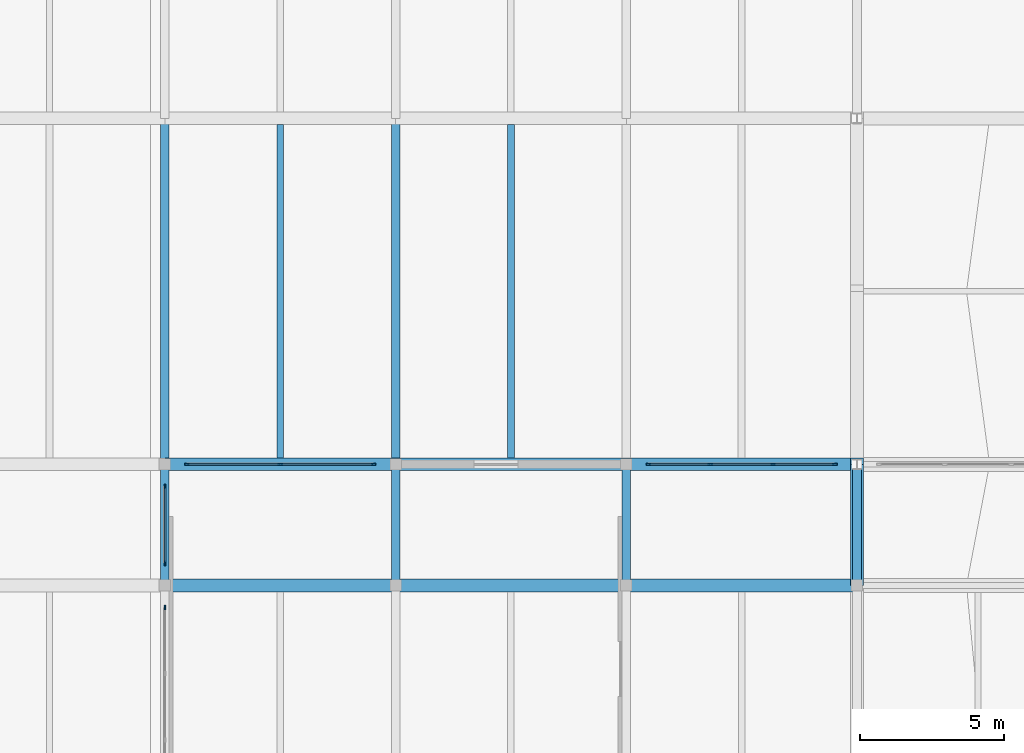
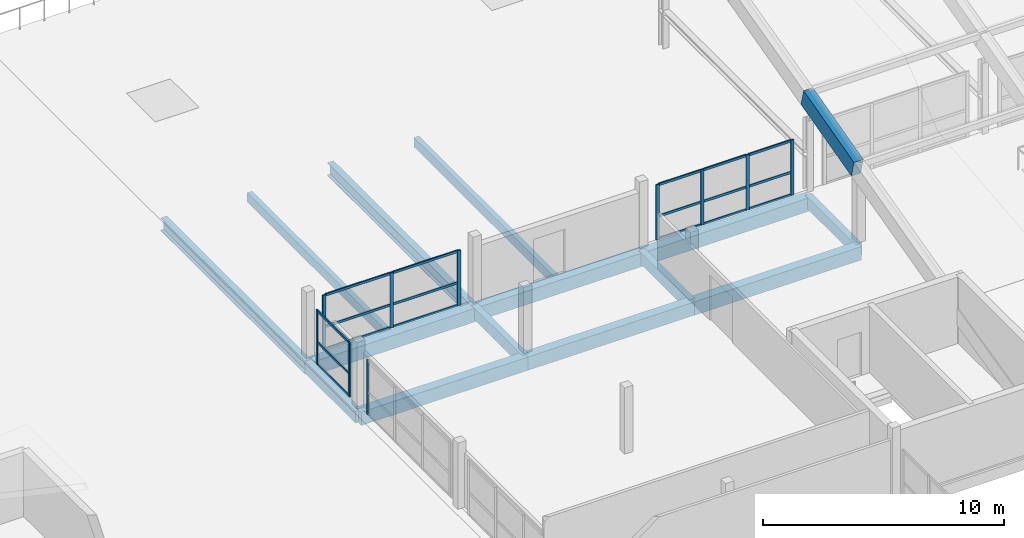
# One storey, part 23 of 51: 28 members, 15 beams, 4 elements without a shape of their own.
"""IFC4 building model written with IfcOpenShell, lengths in metres."""

from ifc_helpers import new_model, si_unit, direction, frame, origin, origin_2d, place, context, subcontext, project, spatial, rectangle, i_section, extrude, material, material_profile, profile_set, type_object, element, aggregate, save


model = new_model("IFC4")

# Units and contexts
model_context = context("Model", 3, precision=1e-05, world=origin(), true_north=direction((0.0, 1.0)))
body_context = subcontext(model_context, "Body", "Model", "MODEL_VIEW")
ifc_project = project(units=[si_unit("LENGTHUNIT", "METRE"), si_unit("AREAUNIT", "SQUARE_METRE"), si_unit("VOLUMEUNIT", "CUBIC_METRE"), si_unit("PLANEANGLEUNIT", "RADIAN"), si_unit("MASSUNIT", "GRAM", prefix="KILO")], contexts=[model_context])

# Site, building, storey
site_placement = place(None, origin())
site = spatial("IfcSite", under=ifc_project, at=site_placement, CompositionType="ELEMENT")
building_placement = place(site_placement, origin())
building = spatial("IfcBuilding", under=site, at=building_placement, Name="Vharandega Faculty of Natural Sciences", CompositionType="ELEMENT")
storey_placement = place(building_placement, frame((0.0, 0.0, 18.0)))
storey = spatial("IfcBuildingStorey", under=building, at=storey_placement, Name="L04", CompositionType="ELEMENT", Elevation=18.0)

# Curtain wall, members
ifc_material_1 = material(Name="Aluminium and solar-control glass curtain wall", Category="aluminium")
curtain_wall_type_1 = type_object("IfcCurtainWallType", Name="Unitised Curtain Wall System CW-19", PredefinedType="NOTDEFINED", material=ifc_material_1)
curtain_wall_1_placement = place(storey_placement, origin())
curtain_wall_1 = element("IfcCurtainWall", 1, at=curtain_wall_1_placement, inside=storey, type_object=curtain_wall_type_1, Name="Curtain Wall CW-L04-102", PredefinedType="NOTDEFINED")
ifc_material_2 = material(Name="Thermally broken aluminium 6063-T6", Category="aluminium")
ifc_material_profile_1 = material_profile(ifc_material_2, rectangle(XDim=0.06005859375, YDim=0.159912109375, at=origin_2d()), Name="ALU 60x160")
ifc_profile_set_1 = profile_set([ifc_material_profile_1], Name="Thermally broken aluminium 6063-T6")
member_type_1 = type_object("IfcMemberType", Name="CW Mullion 60x160", PredefinedType="MULLION", material=ifc_profile_set_1)
member_1_placement = place(storey_placement, frame((32.77001953125, 85.0, 0.0), z_axis=(0.0, 0.0, 1.0), x_axis=(0.0, 1.0, 0.0)))
member_1 = element("IfcMember", 2, at=member_1_placement, type_object=member_type_1, Name="CW-19 mullion 1", PredefinedType="MULLION", context=body_context, shape_type="SweptSolid", body=[
    extrude(rectangle(XDim=0.06005859375, YDim=0.159912109375, at=origin_2d()), origin(), (0.0, 0.0, 1.0), 2.800048828125),
])
member_2_placement = place(storey_placement, frame((36.0, 85.0, 0.0), z_axis=(0.0, 0.0, 1.0), x_axis=(0.0, 1.0, 0.0)))
member_2 = element("IfcMember", 3, at=member_2_placement, type_object=member_type_1, Name="CW-19 mullion 2", PredefinedType="MULLION", context=body_context, shape_type="SweptSolid", body=[
    extrude(rectangle(XDim=0.06005859375, YDim=0.159912109375, at=origin_2d()), origin(), (0.0, 0.0, 1.0), 2.800048828125),
])
member_3_placement = place(storey_placement, frame((39.22998046875, 85.0, 0.0), z_axis=(0.0, 0.0, 1.0), x_axis=(0.0, 1.0, 0.0)))
member_3 = element("IfcMember", 4, at=member_3_placement, type_object=member_type_1, Name="CW-19 mullion 3", PredefinedType="MULLION", context=body_context, shape_type="SweptSolid", body=[
    extrude(rectangle(XDim=0.06005859375, YDim=0.159912109375, at=origin_2d()), origin(), (0.0, 0.0, 1.0), 2.800048828125),
])

ifc_material_3 = material(Name="Aluminium and solar-control glass curtain wall", Category="aluminium")
curtain_wall_type_2 = type_object("IfcCurtainWallType", Name="Unitised Curtain Wall System CW-20", PredefinedType="NOTDEFINED", material=ifc_material_3)
curtain_wall_2_placement = place(storey_placement, origin())
curtain_wall_2 = element("IfcCurtainWall", 5, at=curtain_wall_2_placement, inside=storey, type_object=curtain_wall_type_2, Name="Curtain Wall CW-L04-103", PredefinedType="NOTDEFINED")
member_4_placement = place(storey_placement, frame((48.77001953125, 85.0, 0.0), z_axis=(0.0, 0.0, 1.0), x_axis=(0.0, 1.0, 0.0)))
member_4 = element("IfcMember", 6, at=member_4_placement, type_object=member_type_1, Name="CW-20 mullion 1", PredefinedType="MULLION", context=body_context, shape_type="SweptSolid", body=[
    extrude(rectangle(XDim=0.06005859375, YDim=0.159912109375, at=origin_2d()), origin(), (0.0, 0.0, 1.0), 2.800048828125),
])
member_5_placement = place(storey_placement, frame((50.913330078125, 85.0, 0.0), z_axis=(0.0, 0.0, 1.0), x_axis=(0.0, 1.0, 0.0)))
member_5 = element("IfcMember", 7, at=member_5_placement, type_object=member_type_1, Name="CW-20 mullion 2", PredefinedType="MULLION", context=body_context, shape_type="SweptSolid", body=[
    extrude(rectangle(XDim=0.06005859375, YDim=0.159912109375, at=origin_2d()), origin(), (0.0, 0.0, 1.0), 2.800048828125),
])
member_6_placement = place(storey_placement, frame((53.086669921875, 85.0, 0.0), z_axis=(0.0, 0.0, 1.0), x_axis=(0.0, 1.0, 0.0)))
member_6 = element("IfcMember", 8, at=member_6_placement, type_object=member_type_1, Name="CW-20 mullion 3", PredefinedType="MULLION", context=body_context, shape_type="SweptSolid", body=[
    extrude(rectangle(XDim=0.06005859375, YDim=0.159912109375, at=origin_2d()), origin(), (0.0, 0.0, 1.0), 2.800048828125),
])
member_7_placement = place(storey_placement, frame((55.22998046875, 85.0, 0.0), z_axis=(0.0, 0.0, 1.0), x_axis=(0.0, 1.0, 0.0)))
member_7 = element("IfcMember", 9, at=member_7_placement, type_object=member_type_1, Name="CW-20 mullion 4", PredefinedType="MULLION", context=body_context, shape_type="SweptSolid", body=[
    extrude(rectangle(XDim=0.06005859375, YDim=0.159912109375, at=origin_2d()), origin(), (0.0, 0.0, 1.0), 2.800048828125),
])

# Curtain wall, member
ifc_material_4 = material(Name="Aluminium and solar-control glass curtain wall", Category="aluminium")
curtain_wall_type_3 = type_object("IfcCurtainWallType", Name="Unitised Curtain Wall System CW-26", PredefinedType="NOTDEFINED", material=ifc_material_4)
curtain_wall_3_placement = place(storey_placement, origin())
curtain_wall_3 = element("IfcCurtainWall", 10, at=curtain_wall_3_placement, inside=storey, type_object=curtain_wall_type_3, Name="Curtain Wall CW-L04-109", PredefinedType="NOTDEFINED")
member_8_placement = place(storey_placement, frame((32.0, 80.030029296875, 0.0), z_axis=(0.0, 0.0, 1.0), x_axis=(-1.0, 0.0, 0.0)))
member_8 = element("IfcMember", 11, at=member_8_placement, type_object=member_type_1, Name="CW-26 mullion 4", PredefinedType="MULLION", context=body_context, shape_type="SweptSolid", body=[
    extrude(rectangle(XDim=0.06005859375, YDim=0.159912109375, at=origin_2d()), origin(), (0.0, 0.0, 1.0), 2.760009765625),
])
aggregate(curtain_wall_3, [member_8])

# Curtain wall, members
ifc_material_5 = material(Name="Aluminium and solar-control glass curtain wall", Category="aluminium")
curtain_wall_type_4 = type_object("IfcCurtainWallType", Name="Unitised Curtain Wall System CW-27", PredefinedType="NOTDEFINED", material=ifc_material_5)
curtain_wall_4_placement = place(storey_placement, origin())
curtain_wall_4 = element("IfcCurtainWall", 12, at=curtain_wall_4_placement, inside=storey, type_object=curtain_wall_type_4, Name="Curtain Wall CW-L04-110", PredefinedType="NOTDEFINED")
member_9_placement = place(storey_placement, frame((32.0, 81.570068359375, 0.0), z_axis=(0.0, 0.0, 1.0), x_axis=(-1.0, 0.0, 0.0)))
member_9 = element("IfcMember", 13, at=member_9_placement, type_object=member_type_1, Name="CW-27 mullion 1", PredefinedType="MULLION", context=body_context, shape_type="SweptSolid", body=[
    extrude(rectangle(XDim=0.06005859375, YDim=0.159912109375, at=origin_2d()), origin(), (0.0, 0.0, 1.0), 2.760009765625),
])
member_10_placement = place(storey_placement, frame((32.0, 84.22998046875, 0.0), z_axis=(0.0, 0.0, 1.0), x_axis=(-1.0, 0.0, 0.0)))
member_10 = element("IfcMember", 14, at=member_10_placement, type_object=member_type_1, Name="CW-27 mullion 2", PredefinedType="MULLION", context=body_context, shape_type="SweptSolid", body=[
    extrude(rectangle(XDim=0.06005859375, YDim=0.159912109375, at=origin_2d()), origin(), (0.0, 0.0, 1.0), 2.760009765625),
])

# Member
ifc_material_6 = material(Name="Thermally broken aluminium 6063-T6", Category="aluminium")
ifc_material_profile_2 = material_profile(ifc_material_6, rectangle(XDim=0.06005859375, YDim=0.1201171875, at=origin_2d()), Name="ALU 60x120")
ifc_profile_set_2 = profile_set([ifc_material_profile_2], Name="Thermally broken aluminium 6063-T6")
member_type_2 = type_object("IfcMemberType", Name="CW Transom 60x120", PredefinedType="USERDEFINED", material=ifc_profile_set_2)
member_11_placement = place(storey_placement, frame((32.800048828125, 85.0, 0.030029296875), z_axis=(1.0, 0.0, 0.0), x_axis=(0.0, 1.0, 0.0)))
member_11 = element("IfcMember", 15, at=member_11_placement, type_object=member_type_2, Name="CW-19 transom 1.1", ObjectType="TRANSOM", PredefinedType="USERDEFINED", context=body_context, shape_type="SweptSolid", body=[
    extrude(rectangle(XDim=0.06005859375, YDim=0.1201171875, at=origin_2d()), origin(), (0.0, 0.0, 1.0), 3.169921875),
])

member_12_placement = place(storey_placement, frame((32.800048828125, 85.0, 1.176025390625), z_axis=(1.0, 0.0, 0.0), x_axis=(0.0, 1.0, 0.0)))
member_12 = element("IfcMember", 16, at=member_12_placement, type_object=member_type_2, Name="CW-19 transom 1.2", ObjectType="TRANSOM", PredefinedType="USERDEFINED", context=body_context, shape_type="SweptSolid", body=[
    extrude(rectangle(XDim=0.06005859375, YDim=0.1201171875, at=origin_2d()), origin(), (0.0, 0.0, 1.0), 3.169921875),
])

member_13_placement = place(storey_placement, frame((32.800048828125, 85.0, 2.77001953125), z_axis=(1.0, 0.0, 0.0), x_axis=(0.0, 1.0, 0.0)))
member_13 = element("IfcMember", 17, at=member_13_placement, type_object=member_type_2, Name="CW-19 transom 1.3", ObjectType="TRANSOM", PredefinedType="USERDEFINED", context=body_context, shape_type="SweptSolid", body=[
    extrude(rectangle(XDim=0.06005859375, YDim=0.1201171875, at=origin_2d()), origin(), (0.0, 0.0, 1.0), 3.169921875),
])

member_14_placement = place(storey_placement, frame((36.030029296875, 85.0, 0.030029296875), z_axis=(1.0, 0.0, 0.0), x_axis=(0.0, 1.0, 0.0)))
member_14 = element("IfcMember", 18, at=member_14_placement, type_object=member_type_2, Name="CW-19 transom 2.1", ObjectType="TRANSOM", PredefinedType="USERDEFINED", context=body_context, shape_type="SweptSolid", body=[
    extrude(rectangle(XDim=0.06005859375, YDim=0.1201171875, at=origin_2d()), origin(), (0.0, 0.0, 1.0), 3.169921875),
])

member_15_placement = place(storey_placement, frame((36.030029296875, 85.0, 1.176025390625), z_axis=(1.0, 0.0, 0.0), x_axis=(0.0, 1.0, 0.0)))
member_15 = element("IfcMember", 19, at=member_15_placement, type_object=member_type_2, Name="CW-19 transom 2.2", ObjectType="TRANSOM", PredefinedType="USERDEFINED", context=body_context, shape_type="SweptSolid", body=[
    extrude(rectangle(XDim=0.06005859375, YDim=0.1201171875, at=origin_2d()), origin(), (0.0, 0.0, 1.0), 3.169921875),
])

member_16_placement = place(storey_placement, frame((36.030029296875, 85.0, 2.77001953125), z_axis=(1.0, 0.0, 0.0), x_axis=(0.0, 1.0, 0.0)))
member_16 = element("IfcMember", 20, at=member_16_placement, type_object=member_type_2, Name="CW-19 transom 2.3", ObjectType="TRANSOM", PredefinedType="USERDEFINED", context=body_context, shape_type="SweptSolid", body=[
    extrude(rectangle(XDim=0.06005859375, YDim=0.1201171875, at=origin_2d()), origin(), (0.0, 0.0, 1.0), 3.169921875),
])

aggregate(curtain_wall_1, [member_1, member_2, member_3, member_11, member_12, member_13, member_14, member_15, member_16])

member_17_placement = place(storey_placement, frame((48.800048828125, 85.0, 0.030029296875), z_axis=(1.0, 0.0, 0.0), x_axis=(0.0, 1.0, 0.0)))
member_17 = element("IfcMember", 21, at=member_17_placement, type_object=member_type_2, Name="CW-20 transom 1.1", ObjectType="TRANSOM", PredefinedType="USERDEFINED", context=body_context, shape_type="SweptSolid", body=[
    extrude(rectangle(XDim=0.06005859375, YDim=0.1201171875, at=origin_2d()), origin(), (0.0, 0.0, 1.0), 2.083251953125),
])

member_18_placement = place(storey_placement, frame((48.800048828125, 85.0, 1.176025390625), z_axis=(1.0, 0.0, 0.0), x_axis=(0.0, 1.0, 0.0)))
member_18 = element("IfcMember", 22, at=member_18_placement, type_object=member_type_2, Name="CW-20 transom 1.2", ObjectType="TRANSOM", PredefinedType="USERDEFINED", context=body_context, shape_type="SweptSolid", body=[
    extrude(rectangle(XDim=0.06005859375, YDim=0.1201171875, at=origin_2d()), origin(), (0.0, 0.0, 1.0), 2.083251953125),
])

member_19_placement = place(storey_placement, frame((48.800048828125, 85.0, 2.77001953125), z_axis=(1.0, 0.0, 0.0), x_axis=(0.0, 1.0, 0.0)))
member_19 = element("IfcMember", 23, at=member_19_placement, type_object=member_type_2, Name="CW-20 transom 1.3", ObjectType="TRANSOM", PredefinedType="USERDEFINED", context=body_context, shape_type="SweptSolid", body=[
    extrude(rectangle(XDim=0.06005859375, YDim=0.1201171875, at=origin_2d()), origin(), (0.0, 0.0, 1.0), 2.083251953125),
])

member_20_placement = place(storey_placement, frame((50.943359375, 85.0, 0.030029296875), z_axis=(1.0, 0.0, 0.0), x_axis=(0.0, 1.0, 0.0)))
member_20 = element("IfcMember", 24, at=member_20_placement, type_object=member_type_2, Name="CW-20 transom 2.1", ObjectType="TRANSOM", PredefinedType="USERDEFINED", context=body_context, shape_type="SweptSolid", body=[
    extrude(rectangle(XDim=0.06005859375, YDim=0.1201171875, at=origin_2d()), origin(), (0.0, 0.0, 1.0), 2.11328125),
])

member_21_placement = place(storey_placement, frame((50.943359375, 85.0, 1.176025390625), z_axis=(1.0, 0.0, 0.0), x_axis=(0.0, 1.0, 0.0)))
member_21 = element("IfcMember", 25, at=member_21_placement, type_object=member_type_2, Name="CW-20 transom 2.2", ObjectType="TRANSOM", PredefinedType="USERDEFINED", context=body_context, shape_type="SweptSolid", body=[
    extrude(rectangle(XDim=0.06005859375, YDim=0.1201171875, at=origin_2d()), origin(), (0.0, 0.0, 1.0), 2.11328125),
])

member_22_placement = place(storey_placement, frame((50.943359375, 85.0, 2.77001953125), z_axis=(1.0, 0.0, 0.0), x_axis=(0.0, 1.0, 0.0)))
member_22 = element("IfcMember", 26, at=member_22_placement, type_object=member_type_2, Name="CW-20 transom 2.3", ObjectType="TRANSOM", PredefinedType="USERDEFINED", context=body_context, shape_type="SweptSolid", body=[
    extrude(rectangle(XDim=0.06005859375, YDim=0.1201171875, at=origin_2d()), origin(), (0.0, 0.0, 1.0), 2.11328125),
])

member_23_placement = place(storey_placement, frame((53.11669921875, 85.0, 0.030029296875), z_axis=(1.0, 0.0, 0.0), x_axis=(0.0, 1.0, 0.0)))
member_23 = element("IfcMember", 27, at=member_23_placement, type_object=member_type_2, Name="CW-20 transom 3.1", ObjectType="TRANSOM", PredefinedType="USERDEFINED", context=body_context, shape_type="SweptSolid", body=[
    extrude(rectangle(XDim=0.06005859375, YDim=0.1201171875, at=origin_2d()), origin(), (0.0, 0.0, 1.0), 2.083251953125),
])

member_24_placement = place(storey_placement, frame((53.11669921875, 85.0, 1.176025390625), z_axis=(1.0, 0.0, 0.0), x_axis=(0.0, 1.0, 0.0)))
member_24 = element("IfcMember", 28, at=member_24_placement, type_object=member_type_2, Name="CW-20 transom 3.2", ObjectType="TRANSOM", PredefinedType="USERDEFINED", context=body_context, shape_type="SweptSolid", body=[
    extrude(rectangle(XDim=0.06005859375, YDim=0.1201171875, at=origin_2d()), origin(), (0.0, 0.0, 1.0), 2.083251953125),
])

member_25_placement = place(storey_placement, frame((53.11669921875, 85.0, 2.77001953125), z_axis=(1.0, 0.0, 0.0), x_axis=(0.0, 1.0, 0.0)))
member_25 = element("IfcMember", 29, at=member_25_placement, type_object=member_type_2, Name="CW-20 transom 3.3", ObjectType="TRANSOM", PredefinedType="USERDEFINED", context=body_context, shape_type="SweptSolid", body=[
    extrude(rectangle(XDim=0.06005859375, YDim=0.1201171875, at=origin_2d()), origin(), (0.0, 0.0, 1.0), 2.083251953125),
])

aggregate(curtain_wall_2, [member_4, member_5, member_6, member_7, member_17, member_18, member_19, member_20, member_21, member_22, member_23, member_24, member_25])

member_26_placement = place(storey_placement, frame((32.0, 81.60009765625, 0.030029296875), z_axis=(0.0, 1.0, 0.0), x_axis=(-1.0, 0.0, 0.0)))
member_26 = element("IfcMember", 30, at=member_26_placement, type_object=member_type_2, Name="CW-27 transom 1.1", ObjectType="TRANSOM", PredefinedType="USERDEFINED", context=body_context, shape_type="SweptSolid", body=[
    extrude(rectangle(XDim=0.06005859375, YDim=0.1201171875, at=origin_2d()), origin(), (0.0, 0.0, 1.0), 2.599853515625),
])

member_27_placement = place(storey_placement, frame((32.0, 81.60009765625, 1.1591796875), z_axis=(0.0, 1.0, 0.0), x_axis=(-1.0, 0.0, 0.0)))
member_27 = element("IfcMember", 31, at=member_27_placement, type_object=member_type_2, Name="CW-27 transom 1.2", ObjectType="TRANSOM", PredefinedType="USERDEFINED", context=body_context, shape_type="SweptSolid", body=[
    extrude(rectangle(XDim=0.06005859375, YDim=0.1201171875, at=origin_2d()), origin(), (0.0, 0.0, 1.0), 2.599853515625),
])

member_28_placement = place(storey_placement, frame((32.0, 81.60009765625, 2.72998046875), z_axis=(0.0, 1.0, 0.0), x_axis=(-1.0, 0.0, 0.0)))
member_28 = element("IfcMember", 32, at=member_28_placement, type_object=member_type_2, Name="CW-27 transom 1.3", ObjectType="TRANSOM", PredefinedType="USERDEFINED", context=body_context, shape_type="SweptSolid", body=[
    extrude(rectangle(XDim=0.06005859375, YDim=0.1201171875, at=origin_2d()), origin(), (0.0, 0.0, 1.0), 2.599853515625),
])

aggregate(curtain_wall_4, [member_9, member_10, member_26, member_27, member_28])

# Beams
ifc_material_7 = material(Name="Glulam GL28h", Category="wood")
ifc_material_profile_3 = material_profile(ifc_material_7, rectangle(XDim=0.300048828125, YDim=0.60009765625, at=origin_2d()), Name="GL28h 300x600")
ifc_profile_set_3 = profile_set([ifc_material_profile_3], Name="Glulam GL28h")
beam_type_1 = type_object("IfcBeamType", Name="Glulam Floor Beam 300x600", PredefinedType="BEAM", material=ifc_profile_set_3)
for number, where, z_axis, x_axis, name in (
    (33, (32.0, 80.800048828125, -0.56005859375), (0.0, 1.0, 0.0), (-1.0, 0.0, 0.0), "Beam L04 5/L-M"),
    (34, (40.0, 80.800048828125, -0.52001953125), (0.0, 1.0, 0.0), (-1.0, 0.0, 0.0), "Beam L04 6/L-M"),
    (35, (48.0, 80.800048828125, -0.52001953125), (0.0, 1.0, 0.0), (-1.0, 0.0, 0.0), "Beam L04 7/L-M"),
    (36, (56.0, 80.800048828125, -0.52001953125), (0.0, 1.0, 0.0), (-1.0, 0.0, 0.0), "Beam L04 8/L-M"),
):
    element("IfcBeam", number, at=place(storey_placement, frame(where, z_axis=z_axis, x_axis=x_axis)), inside=storey, type_object=beam_type_1, Name=name, PredefinedType="BEAM", context=body_context, shape_type="SweptSolid", body=[
        extrude(rectangle(XDim=0.300048828125, YDim=0.60009765625, at=origin_2d()), origin(), (0.0, 0.0, 1.0), 4.199951171875),
    ])
ifc_material_8 = material(Name="Glulam GL32h", Category="wood")
ifc_material_profile_4 = material_profile(ifc_material_8, rectangle(XDim=0.43994140625, YDim=0.679931640625, at=origin_2d()), Name="GL32h 440x680")
ifc_profile_set_4 = profile_set([ifc_material_profile_4], Name="Glulam GL32h")
beam_type_2 = type_object("IfcBeamType", Name="Glulam Girder 440x680", PredefinedType="BEAM", material=ifc_profile_set_4)
for number, where, z_axis, x_axis, name in (
    (37, (32.0, 80.800048828125, -0.56005859375), (1.0, 0.0, 0.0), (0.0, 1.0, 0.0), "Beam L04 L/5-6"),
    (38, (40.0, 80.800048828125, -0.56005859375), (1.0, 0.0, 0.0), (0.0, 1.0, 0.0), "Beam L04 L/6-7"),
    (39, (48.0, 80.800048828125, -0.56005859375), (1.0, 0.0, 0.0), (0.0, 1.0, 0.0), "Beam L04 L/7-8"),
    (40, (32.0, 85.0, -0.60009765625), (1.0, 0.0, 0.0), (0.0, 1.0, 0.0), "Beam L04 M/5-6"),
    (41, (40.0, 85.0, -0.60009765625), (1.0, 0.0, 0.0), (0.0, 1.0, 0.0), "Beam L04 M/6-7"),
    (42, (48.0, 85.0, -0.60009765625), (1.0, 0.0, 0.0), (0.0, 1.0, 0.0), "Beam L04 M/7-8"),
):
    element("IfcBeam", number, at=place(storey_placement, frame(where, z_axis=z_axis, x_axis=x_axis)), inside=storey, type_object=beam_type_2, Name=name, PredefinedType="BEAM", context=body_context, shape_type="SweptSolid", body=[
        extrude(rectangle(XDim=0.43994140625, YDim=0.679931640625, at=origin_2d()), origin(), (0.0, 0.0, 1.0), 8.0),
    ])
ifc_material_9 = material(Name="Glulam GL28h", Category="wood")
ifc_material_profile_5 = material_profile(ifc_material_9, rectangle(XDim=0.239990234375, YDim=0.47998046875, at=origin_2d()), Name="GL28h 240x480")
ifc_profile_set_5 = profile_set([ifc_material_profile_5], Name="Glulam GL28h")
beam_type_3 = type_object("IfcBeamType", Name="Glulam Secondary Joist 240x480", PredefinedType="JOIST", material=ifc_profile_set_5)
for number, where, z_axis, x_axis, name in (
    (43, (36.0, 85.219970703125, -0.5), (0.0, 1.0, 0.0), (-1.0, 0.0, 0.0), "Secondary Joist L04 5-6/M-N"),
    (44, (44.0, 85.219970703125, -0.5), (0.0, 1.0, 0.0), (-1.0, 0.0, 0.0), "Secondary Joist L04 6-7/M-N"),
):
    element("IfcBeam", number, at=place(storey_placement, frame(where, z_axis=z_axis, x_axis=x_axis)), inside=storey, type_object=beam_type_3, Name=name, PredefinedType="JOIST", context=body_context, shape_type="SweptSolid", body=[
        extrude(rectangle(XDim=0.239990234375, YDim=0.47998046875, at=origin_2d()), origin(), (0.0, 0.0, 1.0), 11.56005859375),
    ])
ifc_material_10 = material(Name="Concrete C40/50", Category="concrete")
ifc_material_profile_6 = material_profile(ifc_material_10, rectangle(XDim=0.449951171875, YDim=0.85009765625, at=origin_2d()), Name="RC 450x850")
ifc_profile_set_6 = profile_set([ifc_material_profile_6], Name="Concrete C40/50")
beam_type_4 = type_object("IfcBeamType", Name="Shell Arch Rib Beam 450x850", PredefinedType="BEAM", material=ifc_profile_set_6)
beam_placement = place(storey_placement, frame((56.0, 80.90771484375, 3.578857421875), z_axis=(0.0, 0.967365988301, 0.253383197308), x_axis=(-1.0, 0.0, 0.0)))
element("IfcBeam", 45, at=beam_placement, inside=storey, type_object=beam_type_4, Name="Conoidal Shell Arch Rib 8-3", PredefinedType="BEAM", context=body_context, shape_type="SweptSolid", body=[
    extrude(rectangle(XDim=0.449951171875, YDim=0.85009765625, at=origin_2d()), origin(), (0.0, 0.0, 1.0), 4.341552734375),
])
ifc_material_11 = material(Name="Steel S355", Category="steel")
ifc_material_profile_7 = material_profile(ifc_material_11, i_section(OverallWidth=0.300048828125, OverallDepth=0.64990234375, WebThickness=0.01611328125, FlangeThickness=0.031005859375, FilletRadius=0.027099609375, at=origin_2d()), Name="HEB 650")
ifc_profile_set_7 = profile_set([ifc_material_profile_7], Name="Steel S355")
beam_type_5 = type_object("IfcBeamType", Name="Steel Collector Beam HEB 650", PredefinedType="BEAM", material=ifc_profile_set_7)
for number, where, z_axis, x_axis, name in (
    (46, (32.0, 85.0, -0.5849609375), (0.0, 1.0, 0.0), (-1.0, 0.0, 0.0), "Beam L04 5/M-N"),
    (47, (40.0, 85.0, -0.5849609375), (0.0, 1.0, 0.0), (-1.0, 0.0, 0.0), "Beam L04 6/M-N"),
):
    element("IfcBeam", number, at=place(storey_placement, frame(where, z_axis=z_axis, x_axis=x_axis)), inside=storey, type_object=beam_type_5, Name=name, PredefinedType="BEAM", context=body_context, shape_type="SweptSolid", body=[
        extrude(i_section(OverallWidth=0.300048828125, OverallDepth=0.64990234375, WebThickness=0.01611328125, FlangeThickness=0.031005859375, FilletRadius=0.027099609375, at=origin_2d()), origin(), (0.0, 0.0, 1.0), 12.0),
    ])

save(model, "model.ifc")
